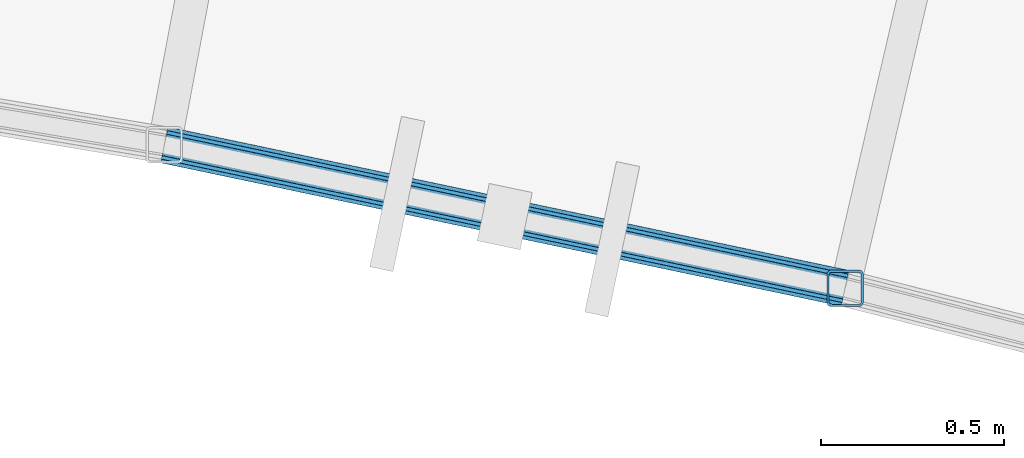
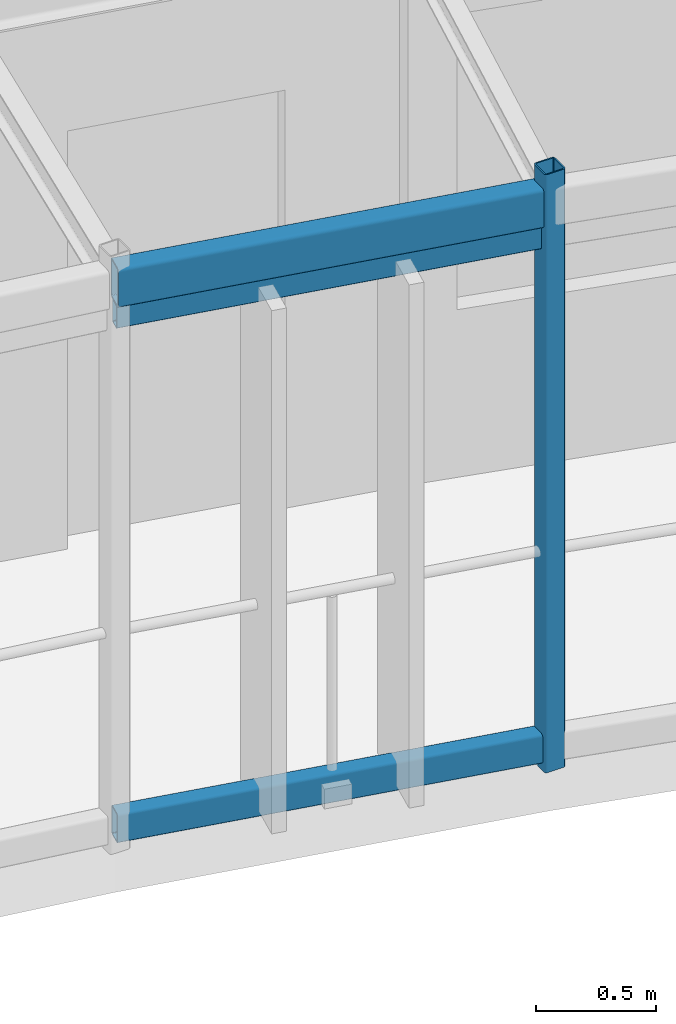
# One storey, part 50 of 137: 3 members, 1 beam.
"""IFC4 building model written with IfcOpenShell, lengths in metres."""

import ifcopenshell
import ifcopenshell.guid

model = None  # the IFC model being written
_history = None  # IfcOwnerHistory: only IFC2X3 demands one
_inside = {}  # id of a spatial element -> (the spatial element, [elements in it])
_under = {}  # id of a project, library or spatial element -> (it, [spatial elements below it])
_declared = {}  # id of a project -> (the project, [libraries it declares])
_typed = {}  # id of a type object -> (the type object, [elements of that type])
_made_of = {}  # id of a material, layer set ... -> (it, [elements and type objects made of it])


def new_model(schema):
    """Start an empty IFC model of exactly this schema.

    Asked for "IFC4X3", IfcOpenShell would pick the latest addendum, in which some entities
    have other attributes; the version numbers below select the first issue.
    IFC2X3 requires an IfcOwnerHistory on every rooted entity: one is made here for all.
    """
    global model, _history
    if schema == "IFC4X3":
        model = ifcopenshell.file(schema_version=(4, 3, 0, 0))
    else:
        model = ifcopenshell.file(schema=schema)
    _inside.clear()
    _under.clear()
    _declared.clear()
    _typed.clear()
    _made_of.clear()
    _history = None
    if model.schema == "IFC2X3":
        org = make("IfcOrganization", Name="unknown")
        user = make(
            "IfcPersonAndOrganization",
            ThePerson=make("IfcPerson", FamilyName="unknown"),
            TheOrganization=org,
        )
        app = make(
            "IfcApplication",
            ApplicationDeveloper=org,
            Version="unknown",
            ApplicationFullName="unknown",
            ApplicationIdentifier="unknown",
        )
        _history = make(
            "IfcOwnerHistory",
            OwningUser=user,
            OwningApplication=app,
            ChangeAction="ADDED",
            CreationDate=0,
        )
    return model


def make(cls, **values):
    """One entity of the class cls with the attributes given. An attribute that is None is left unset."""
    return model.create_entity(
        cls, **{name: value for name, value in values.items() if value is not None}
    )


def rooted(cls, **values):
    """An entity with a GlobalId (a new one), such as an element, a storey or a relation."""
    return make(cls, GlobalId=ifcopenshell.guid.new(), OwnerHistory=_history, **values)


def si_unit(unit_type, name, prefix=None):
    """IfcSIUnit, for example si_unit("LENGTHUNIT", "METRE", prefix="MILLI")."""
    return make("IfcSIUnit", UnitType=unit_type, Prefix=prefix, Name=name)


def assignment(units):
    """IfcUnitAssignment: the units of a project."""
    return None if units is None else make("IfcUnitAssignment", Units=units)


def point(xyz):
    """IfcCartesianPoint."""
    return None if xyz is None else make("IfcCartesianPoint", Coordinates=xyz)


def direction(xyz):
    """IfcDirection."""
    return None if xyz is None else make("IfcDirection", DirectionRatios=xyz)


def frame(location, z_axis=None, x_axis=None):
    """IfcAxis2Placement3D, a coordinate frame: its origin and axes. An axis left out is left unset."""
    return make(
        "IfcAxis2Placement3D",
        Location=point(location),
        Axis=direction(z_axis),
        RefDirection=direction(x_axis),
    )


def frame_2d(location, x_axis=None):
    """IfcAxis2Placement2D, a coordinate frame in the plane: its origin and x axis."""
    return make(
        "IfcAxis2Placement2D", Location=point(location), RefDirection=direction(x_axis)
    )


def origin():
    """The frame at (0, 0, 0) with its axes left unset."""
    return frame((0.0, 0.0, 0.0))


def origin_2d():
    """The frame at (0, 0) in the plane with its x axis left unset."""
    return frame_2d((0.0, 0.0))


def place(relative_to, where):
    """IfcLocalPlacement: puts the frame where relative to a parent placement (None: the world)."""
    return make(
        "IfcLocalPlacement", PlacementRelTo=relative_to, RelativePlacement=where
    )


def context(
    kind, dimensions, precision=None, world=None, true_north=None, identifier=None
):
    """IfcGeometricRepresentationContext, for example the 3D "Model" context."""
    return make(
        "IfcGeometricRepresentationContext",
        ContextIdentifier=identifier,
        ContextType=kind,
        CoordinateSpaceDimension=dimensions,
        Precision=precision,
        WorldCoordinateSystem=world,
        TrueNorth=true_north,
    )


def subcontext(parent, identifier, kind, view, scale=None):
    """IfcGeometricRepresentationSubContext, for example "Body" below "Model"."""
    return make(
        "IfcGeometricRepresentationSubContext",
        ContextIdentifier=identifier,
        ContextType=kind,
        ParentContext=parent,
        TargetScale=scale,
        TargetView=view,
    )


def project(units=None, contexts=None):
    """IfcProject with its units and contexts."""
    return rooted(
        "IfcProject",
        Name="project",
        RepresentationContexts=contexts,
        UnitsInContext=assignment(units),
    )


def spatial(cls, under=None, at=None, **own):
    """A site, building, storey or space (cls), placed at a placement, below another one or the project."""
    s = rooted(cls, ObjectPlacement=at, **own)
    if under is not None:
        _under.setdefault(under.id(), (under, []))[1].append(s)
    return s


def profile(cls, at=None, kind="AREA", **sizes):
    """A parametric profile (cls). Its sizes go by their IFC names, for example OverallWidth=200.0."""
    return make(cls, ProfileType=kind, Position=at, **sizes)


def hollow_rectangle(**sizes):
    """IfcRectangleHollowProfileDef."""
    return profile("IfcRectangleHollowProfileDef", **sizes)


def extrude(swept, where, along, depth):
    """IfcExtrudedAreaSolid: the profile swept, set in the frame where, extruded along a direction by depth."""
    return make(
        "IfcExtrudedAreaSolid",
        SweptArea=swept,
        Position=where,
        ExtrudedDirection=direction(along),
        Depth=depth,
    )


def shape(context_of_items, identifier, shape_type, items):
    """IfcShapeRepresentation: the items that make up one representation, for example the "Body"."""
    return make(
        "IfcShapeRepresentation",
        ContextOfItems=context_of_items,
        RepresentationIdentifier=identifier,
        RepresentationType=shape_type,
        Items=items,
    )


def material(Name=None, Category=None):
    """IfcMaterial."""
    return make("IfcMaterial", Name=Name, Category=Category)


def material_profile(
    of_material, cross_section, Name=None, Category=None, Priority=None
):
    """IfcMaterialProfile: a cross section and its material."""
    return make(
        "IfcMaterialProfile",
        Name=Name,
        Material=of_material,
        Profile=cross_section,
        Priority=Priority,
        Category=Category,
    )


def profile_set(profiles, Name=None, composite=None):
    """IfcMaterialProfileSet."""
    return make(
        "IfcMaterialProfileSet",
        Name=Name,
        MaterialProfiles=profiles,
        CompositeProfile=composite,
    )


def made_of(thing, what):
    """Note that an element or type object is made of a material, layer set ...; save() writes the relation."""
    if what is not None:
        _made_of.setdefault(what.id(), (what, []))[1].append(thing)
    return thing


def type_object(cls, material=None, **own):
    """A type object (cls), such as IfcWallType, which elements share."""
    return made_of(rooted(cls, **own), material)


def element(
    cls,
    number,
    at=None,
    inside=None,
    cuts=None,
    type_object=None,
    material=None,
    context=None,
    identifier="Body",
    shape_type=None,
    held_by="IfcProductDefinitionShape",
    body=None,
    shapes=None,
    **own,
):
    """One element of the class cls, such as IfcWall. Its Tag is "e" and its number.

    at: its placement. inside: the storey or other place that contains it. cuts: it is an
    opening in that element (IfcRelVoidsElement). A single representation is given by context,
    identifier, shape_type and body (its items); several are given by shapes. held_by: the class
    of the entity that holds the representations. save() writes the other relations.
    """
    e = rooted(cls, Tag="e%d" % number, ObjectPlacement=at, **own)
    if body is not None:
        shapes = [shape(context, identifier, shape_type, body)]
    if shapes is not None:
        e.Representation = make(held_by, Representations=shapes)
    if inside is not None:
        _inside.setdefault(inside.id(), (inside, []))[1].append(e)
    if cuts is not None:
        rooted(
            "IfcRelVoidsElement", RelatingBuildingElement=cuts, RelatedOpeningElement=e
        )
    if type_object is not None:
        _typed.setdefault(type_object.id(), (type_object, []))[1].append(e)
    return made_of(e, material)


def aggregate(whole, parts):
    """IfcRelAggregates: a whole, such as a stair, and the parts it consists of."""
    return rooted("IfcRelAggregates", RelatingObject=whole, RelatedObjects=parts)


def save(model, path):
    """Write the relations noted so far, then the file.

    IfcRelAggregates (storeys below a building ...), IfcRelContainedInSpatialStructure (elements
    in a storey), IfcRelDefinesByType, IfcRelAssociatesMaterial and IfcRelDeclares: one each for
    every whole, place, type object, material and project.
    """
    for whole, parts in _under.values():
        aggregate(whole, parts)
    for where, things in _inside.values():
        rooted(
            "IfcRelContainedInSpatialStructure",
            RelatedElements=things,
            RelatingStructure=where,
        )
    for kind, things in _typed.values():
        rooted("IfcRelDefinesByType", RelatedObjects=things, RelatingType=kind)
    for what, things in _made_of.values():
        rooted("IfcRelAssociatesMaterial", RelatedObjects=things, RelatingMaterial=what)
    for by, libraries in _declared.values():
        rooted("IfcRelDeclares", RelatingContext=by, RelatedDefinitions=libraries)
    model.write(path)


model = new_model("IFC4")

# Units and contexts
model_context = context("Model", 3, precision=1e-05, world=origin(), true_north=direction((0.0, 1.0)))
body_context = subcontext(model_context, "Body", "Model", "MODEL_VIEW")
ifc_project = project(units=[si_unit("LENGTHUNIT", "METRE"), si_unit("AREAUNIT", "SQUARE_METRE"), si_unit("VOLUMEUNIT", "CUBIC_METRE"), si_unit("PLANEANGLEUNIT", "RADIAN"), si_unit("MASSUNIT", "GRAM", prefix="KILO"), si_unit("POWERUNIT", "WATT"), si_unit("THERMODYNAMICTEMPERATUREUNIT", "KELVIN")], contexts=[model_context])

# Site, building, storey
site_placement = place(None, origin())
site = spatial("IfcSite", under=ifc_project, at=site_placement, CompositionType="ELEMENT")
building_placement = place(site_placement, origin())
building = spatial("IfcBuilding", under=site, at=building_placement, Name="Ruvembo Vaulted Housing Court", CompositionType="ELEMENT")
storey_placement = place(building_placement, frame((0.0, 0.0, 4.5)))
storey = spatial("IfcBuildingStorey", under=building, at=storey_placement, Name="L01", CompositionType="ELEMENT", Elevation=4.5)

# Beam
ifc_material = material(Name="Steel S355J2", Category="steel")
ifc_material_profile_1 = material_profile(ifc_material, hollow_rectangle(XDim=0.10009765625, YDim=0.199951171875, WallThickness=0.008056640625, InnerFilletRadius=0.008056640625, OuterFilletRadius=0.01611328125, at=origin_2d()), Name="RHS 200x100x8")
ifc_profile_set_1 = profile_set([ifc_material_profile_1], Name="Steel S355J2")
beam_type = type_object("IfcBeamType", Name="BM-ST-RHS200", PredefinedType="SPANDREL", material=ifc_profile_set_1)
beam_placement = place(storey_placement, frame((125.505615234375, 95.00341796875, 2.840087890625), z_axis=(0.978529342624, -0.206107558387, 0.0), x_axis=(0.206107558387, 0.978529342624, 0.0)))
element("IfcBeam", 1, at=beam_placement, inside=storey, type_object=beam_type, Name="Scoop SC3 L01 Balcony Edge Spandrel 19", PredefinedType="SPANDREL", context=body_context, shape_type="SweptSolid", body=[
    extrude(hollow_rectangle(XDim=0.10009765625, YDim=0.199951171875, WallThickness=0.008056640625, InnerFilletRadius=0.008056640625, OuterFilletRadius=0.01611328125, at=origin_2d()), origin(), (0.0, 0.0, 1.0), 1.901123046875),
])

# Members
ifc_material_profile_2 = material_profile(ifc_material, hollow_rectangle(XDim=0.06005859375, YDim=0.1201171875, WallThickness=0.0048828125, InnerFilletRadius=0.0048828125, OuterFilletRadius=0.010009765625, at=origin_2d()), Name="RHS 120x60x5")
ifc_profile_set_2 = profile_set([ifc_material_profile_2], Name="Steel S355J2")
member_type_1 = type_object("IfcMemberType", Name="MEM-CAR-RHS120", PredefinedType="CHORD", material=ifc_profile_set_2)
member_1_placement = place(storey_placement, frame((125.505615234375, 95.00341796875, 2.68310546875), z_axis=(0.978529342624, -0.206107558387, 0.0), x_axis=(0.206107558387, 0.978529342624, 0.0)))
element("IfcMember", 2, at=member_1_placement, inside=storey, type_object=member_type_1, Name="Scoop SC3 L01 Upper Louvre Carrier Rail 19", PredefinedType="CHORD", context=body_context, shape_type="SweptSolid", body=[
    extrude(hollow_rectangle(XDim=0.06005859375, YDim=0.1201171875, WallThickness=0.0048828125, InnerFilletRadius=0.0048828125, OuterFilletRadius=0.010009765625, at=origin_2d()), origin(), (0.0, 0.0, 1.0), 1.901123046875),
])
ifc_material_profile_3 = material_profile(ifc_material, hollow_rectangle(XDim=0.080078125, YDim=0.14990234375, WallThickness=0.00634765625, InnerFilletRadius=0.00634765625, OuterFilletRadius=0.0126953125, at=origin_2d()), Name="RHS 150x80x6.3")
ifc_profile_set_3 = profile_set([ifc_material_profile_3], Name="Steel S355J2")
member_type_2 = type_object("IfcMemberType", Name="MEM-CAR-RHS150", PredefinedType="CHORD", material=ifc_profile_set_3)
member_2_placement = place(storey_placement, frame((125.505615234375, 95.00341796875, 0.094970703125), z_axis=(0.978529342624, -0.206107558387, 0.0), x_axis=(0.206107558387, 0.978529342624, 0.0)))
element("IfcMember", 3, at=member_2_placement, inside=storey, type_object=member_type_2, Name="Scoop SC3 L01 Lower Louvre Carrier Rail 19", PredefinedType="CHORD", context=body_context, shape_type="SweptSolid", body=[
    extrude(hollow_rectangle(XDim=0.080078125, YDim=0.14990234375, WallThickness=0.00634765625, InnerFilletRadius=0.00634765625, OuterFilletRadius=0.0126953125, at=origin_2d()), origin(), (0.0, 0.0, 1.0), 1.901123046875),
])
ifc_material_profile_4 = material_profile(ifc_material, hollow_rectangle(XDim=0.10009765625, YDim=0.10009765625, WallThickness=0.00634765625, InnerFilletRadius=0.00634765625, OuterFilletRadius=0.0126953125, at=origin_2d()), Name="SHS 100x100x6.3")
ifc_profile_set_4 = profile_set([ifc_material_profile_4], Name="Steel S355J2")
member_type_3 = type_object("IfcMemberType", Name="MEM-FRM-SHS100", PredefinedType="STRUT", material=ifc_profile_set_4)
member_3_placement = place(storey_placement, frame((127.365966796875, 94.611572265625, -0.014892578125), z_axis=(0.0, 0.0, 1.0), x_axis=(1.0, 0.0, 0.0)))
element("IfcMember", 4, at=member_3_placement, inside=storey, type_object=member_type_3, Name="Scoop SC3 L01 Louvre Frame Post 20", PredefinedType="STRUT", context=body_context, shape_type="SweptSolid", body=[
    extrude(hollow_rectangle(XDim=0.10009765625, YDim=0.10009765625, WallThickness=0.00634765625, InnerFilletRadius=0.00634765625, OuterFilletRadius=0.0126953125, at=origin_2d()), origin(), (0.0, 0.0, 1.0), 3.032958984375),
])

save(model, "model.ifc")
